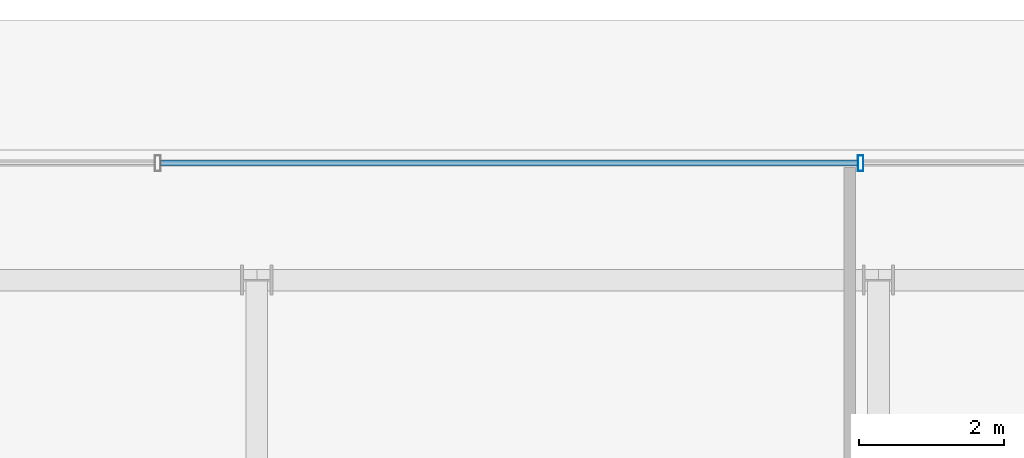
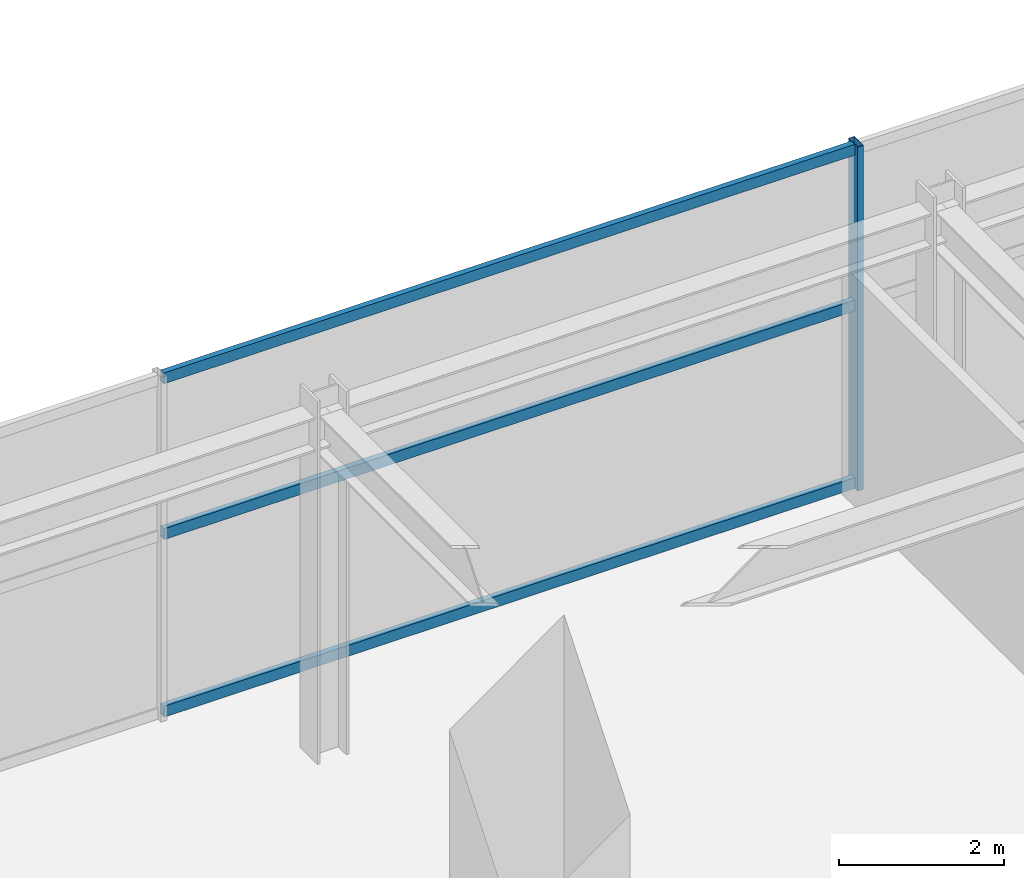
# One storey, part 15 of 29: 4 members, 1 element without a shape of its own.
"""IFC4 building model written with IfcOpenShell, lengths in metres."""

from ifc_helpers import new_model, si_unit, direction, frame, origin, origin_2d, place, context, subcontext, project, spatial, hollow_rectangle, extrude, source, transform, mapped, material, material_profile, profile_set, type_object, element, aggregate, save


model = new_model("IFC4")

# Units and contexts
model_context = context("Model", 3, precision=1e-05, world=origin(), true_north=direction((0.0, 1.0)))
body_context = subcontext(model_context, "Body", "Model", "MODEL_VIEW")
ifc_project = project(units=[si_unit("LENGTHUNIT", "METRE"), si_unit("AREAUNIT", "SQUARE_METRE"), si_unit("VOLUMEUNIT", "CUBIC_METRE"), si_unit("PLANEANGLEUNIT", "RADIAN"), si_unit("MASSUNIT", "GRAM", prefix="KILO")], contexts=[model_context])

# Site, building, storey
site_placement = place(None, origin())
site = spatial("IfcSite", under=ifc_project, at=site_placement, CompositionType="ELEMENT")
building_placement = place(site_placement, origin())
building = spatial("IfcBuilding", under=site, at=building_placement, Name="Nahalor Promenade Grand Hotel", CompositionType="ELEMENT")
storey_placement = place(building_placement, origin())
storey = spatial("IfcBuildingStorey", under=building, at=storey_placement, Name="L00", CompositionType="ELEMENT", Elevation=0.0)

# Curtain wall, members
ifc_material = material(Name="Anodised Bronze Aluminium EN AW-6063 T6", Category="aluminium")
curtain_wall_type = type_object("IfcCurtainWallType", Name="CW1 Waterfront Podium Bronze Arcade Curtain Wall", PredefinedType="USERDEFINED", material=ifc_material)
curtain_wall_placement = place(storey_placement, origin())
curtain_wall = element("IfcCurtainWall", 1, at=curtain_wall_placement, inside=storey, type_object=curtain_wall_type, Name="L00 Curtain Wall CW-L00-N-MID", ObjectType="UNITISED_CURTAIN_WALL", PredefinedType="USERDEFINED")
ifc_material_profile_1 = material_profile(ifc_material, hollow_rectangle(XDim=0.08, YDim=0.22, WallThickness=0.005, at=origin_2d()), Name="CWM 80x220x5")
ifc_profile_set_1 = profile_set([ifc_material_profile_1], Name="Anodised Bronze Aluminium EN AW-6063 T6")
member_type_1 = type_object("IfcMemberType", Name="CWM1 Podium Bronze Mullion 80x220", PredefinedType="MULLION", material=ifc_profile_set_1)
shared_shape_1 = source(origin(), body_context, "Body", "SweptSolid", [
    extrude(hollow_rectangle(XDim=0.08, YDim=0.22, WallThickness=0.005, at=origin_2d()), origin(), (0.0, 0.0, 1.0), 5.080078125),
])
member_1_placement = place(storey_placement, frame((-8.64794921875, 23.820068359375, 0.0), z_axis=(0.0, 0.0, 1.0), x_axis=(1.0, 0.0, 0.0)))
member_1 = element("IfcMember", 2, at=member_1_placement, type_object=member_type_1, Name="CW-L00-N-MID Mullion 3", PredefinedType="MULLION", context=body_context, shape_type="MappedRepresentation", body=[
    mapped(shared_shape_1, transform((0.0, 0.0, 0.0), scale=1.0)),
])
ifc_material_profile_2 = material_profile(ifc_material, hollow_rectangle(XDim=0.08, YDim=0.16, WallThickness=0.004, at=origin_2d()), Name="CWT 80x160x4")
ifc_profile_set_2 = profile_set([ifc_material_profile_2], Name="Anodised Bronze Aluminium EN AW-6063 T6")
member_type_2 = type_object("IfcMemberType", Name="CWT1 Podium Bronze Transom 80x160", PredefinedType="USERDEFINED", material=ifc_profile_set_2)
shared_shape_2 = source(origin(), body_context, "Body", "SweptSolid", [
    extrude(hollow_rectangle(XDim=0.08, YDim=0.16, WallThickness=0.004, at=origin_2d()), origin(), (0.0, 0.0, 1.0), 9.64404296875),
])
member_2_placement = place(storey_placement, frame((-18.33203125, 23.820068359375, 0.080078125), z_axis=(1.0, 0.0, 0.0), x_axis=(0.0, 1.0, 0.0)))
member_2 = element("IfcMember", 3, at=member_2_placement, type_object=member_type_2, Name="CW-L00-N-MID Transom 2-0", ObjectType="TRANSOM", PredefinedType="USERDEFINED", context=body_context, shape_type="MappedRepresentation", body=[
    mapped(shared_shape_2, transform((0.0, 0.0, 0.0), scale=1.0)),
])
member_3_placement = place(storey_placement, frame((-18.33203125, 23.820068359375, 2.699951171875), z_axis=(1.0, 0.0, 0.0), x_axis=(0.0, 1.0, 0.0)))
member_3 = element("IfcMember", 4, at=member_3_placement, type_object=member_type_2, Name="CW-L00-N-MID Transom 2-1", ObjectType="TRANSOM", PredefinedType="USERDEFINED", context=body_context, shape_type="MappedRepresentation", body=[
    mapped(shared_shape_2, transform((0.0, 0.0, 0.0), scale=1.0)),
])
member_4_placement = place(storey_placement, frame((-18.33203125, 23.820068359375, 5.0), z_axis=(1.0, 0.0, 0.0), x_axis=(0.0, 1.0, 0.0)))
member_4 = element("IfcMember", 5, at=member_4_placement, type_object=member_type_2, Name="CW-L00-N-MID Transom 2-2", ObjectType="TRANSOM", PredefinedType="USERDEFINED", context=body_context, shape_type="MappedRepresentation", body=[
    mapped(shared_shape_2, transform((0.0, 0.0, 0.0), scale=1.0)),
])
aggregate(curtain_wall, [member_1, member_2, member_3, member_4])

save(model, "model.ifc")
